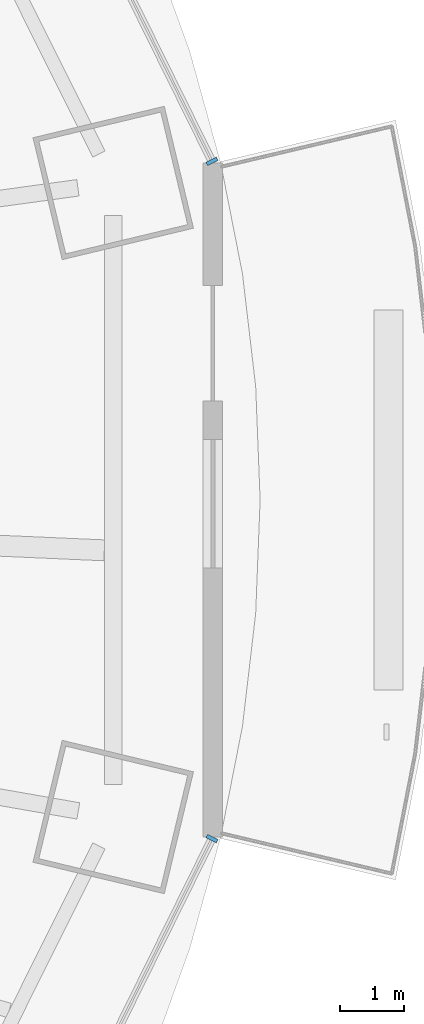
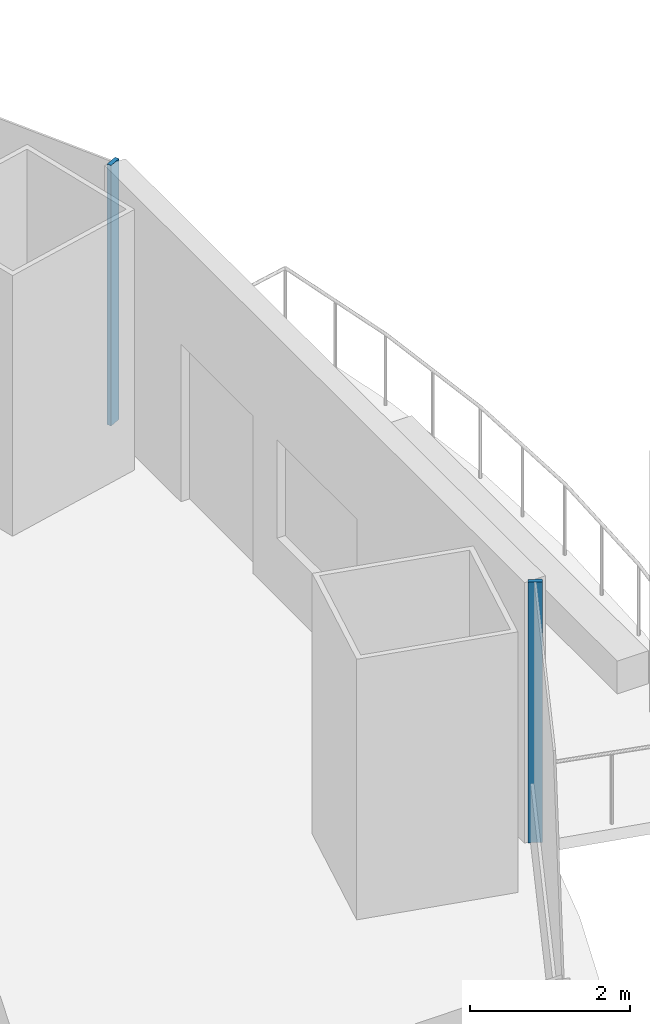
# One storey, part 9 of 20: 2 members, 2 elements without a shape of their own.
"""IFC4 building model written with IfcOpenShell, lengths in metres."""

from ifc_helpers import new_model, si_unit, direction, frame, origin, origin_2d, place, context, subcontext, project, spatial, rectangle, extrude, material, material_profile, profile_set, type_object, element, aggregate, save


model = new_model("IFC4")

# Units and contexts
model_context = context("Model", 3, precision=1e-05, world=origin(), true_north=direction((0.0, 1.0)))
body_context = subcontext(model_context, "Body", "Model", "MODEL_VIEW")
ifc_project = project(units=[si_unit("LENGTHUNIT", "METRE"), si_unit("AREAUNIT", "SQUARE_METRE"), si_unit("VOLUMEUNIT", "CUBIC_METRE"), si_unit("PLANEANGLEUNIT", "RADIAN"), si_unit("MASSUNIT", "GRAM", prefix="KILO")], contexts=[model_context])

# Site, building, storey
site_placement = place(None, origin())
site = spatial("IfcSite", under=ifc_project, at=site_placement, CompositionType="ELEMENT")
building_placement = place(site_placement, origin())
building = spatial("IfcBuilding", under=site, at=building_placement, Name="Marenthal Gate Tower", CompositionType="ELEMENT")
storey_placement = place(building_placement, frame((0.0, 0.0, 185.949951171875)))
storey = spatial("IfcBuildingStorey", under=building, at=storey_placement, Name="L40", CompositionType="ELEMENT", Elevation=185.949951171875)

# Curtain wall, member
ifc_material_1 = material(Name="Aluminium and glass", Category="aluminium")
curtain_wall_type = type_object("IfcCurtainWallType", Name="Curtain wall typical mid", PredefinedType="NOTDEFINED", material=ifc_material_1)
curtain_wall_1_placement = place(storey_placement, origin())
curtain_wall_1 = element("IfcCurtainWall", 1, at=curtain_wall_1_placement, inside=storey, type_object=curtain_wall_type, Name="Curtain wall L40 bay 1", PredefinedType="NOTDEFINED")
ifc_material_2 = material(Name="Aluminium", Category="aluminium")
ifc_material_profile = material_profile(ifc_material_2, rectangle(XDim=0.179931640625, YDim=0.06005859375, at=origin_2d()), Name="60x180 aluminium mullion")
ifc_profile_set = profile_set([ifc_material_profile], Name="Aluminium")
member_type = type_object("IfcMemberType", Name="Mullion 60x180 typical mid", PredefinedType="MULLION", material=ifc_profile_set)
member_1_placement = place(storey_placement, frame((33.1865234375, 4.667236328125, 0.0), z_axis=(0.0, 0.0, 1.0), x_axis=(-0.896680826174, -0.442677643406, 0.0)))
member_1 = element("IfcMember", 2, at=member_1_placement, type_object=member_type, Name="Mullion L40 bay 1.1", PredefinedType="MULLION", context=body_context, shape_type="SweptSolid", body=[
    extrude(rectangle(XDim=0.179931640625, YDim=0.06005859375, at=origin_2d()), origin(), (0.0, 0.0, 1.0), 3.969970703125),
])
aggregate(curtain_wall_1, [member_1])

curtain_wall_2_placement = place(storey_placement, origin())
curtain_wall_2 = element("IfcCurtainWall", 3, at=curtain_wall_2_placement, inside=storey, type_object=curtain_wall_type, Name="Curtain wall L40 bay 15", PredefinedType="NOTDEFINED")
member_2_placement = place(storey_placement, frame((33.1865234375, -5.8671875, 0.0), z_axis=(0.0, 0.0, 1.0), x_axis=(-0.896680826174, 0.442677643406, 0.0)))
member_2 = element("IfcMember", 4, at=member_2_placement, type_object=member_type, Name="Mullion L40 bay 15.3", PredefinedType="MULLION", context=body_context, shape_type="SweptSolid", body=[
    extrude(rectangle(XDim=0.179931640625, YDim=0.06005859375, at=origin_2d()), origin(), (0.0, 0.0, 1.0), 3.969970703125),
])
aggregate(curtain_wall_2, [member_2])

save(model, "model.ifc")
